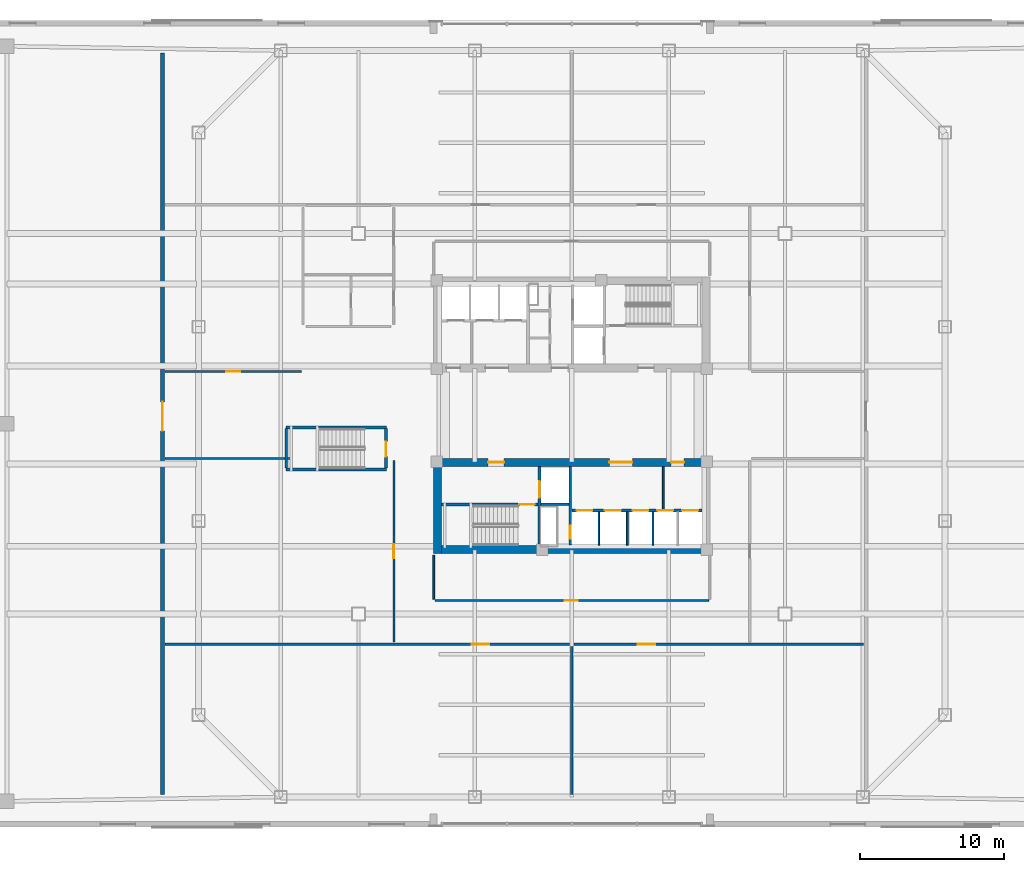
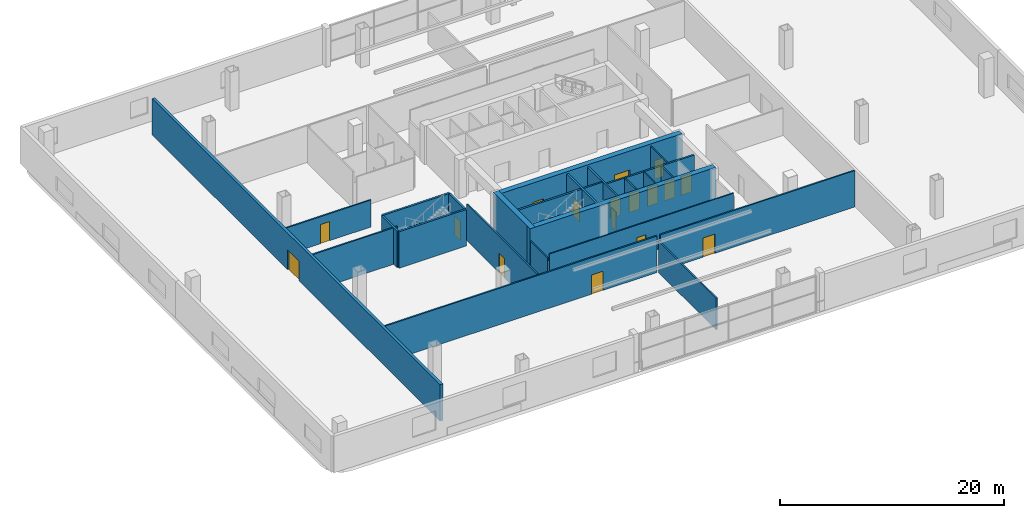
# One storey, part 12 of 21: 25 walls, 18 doors, 18 openings.
"""IFC4 building model written with IfcOpenShell, lengths in metres."""

from ifc_helpers import new_model, si_unit, direction, frame, frame_2d, origin, place, context, subcontext, project, spatial, rectangle, extrude, material, layer, layer_set, type_object, element, fill, save


model = new_model("IFC4")

# Units and contexts
model_context = context("Model", 3, precision=1e-05, world=origin(), true_north=direction((0.0, 1.0)))
body_context = subcontext(model_context, "Body", "Model", "MODEL_VIEW")
ifc_project = project(units=[si_unit("LENGTHUNIT", "METRE"), si_unit("AREAUNIT", "SQUARE_METRE"), si_unit("VOLUMEUNIT", "CUBIC_METRE"), si_unit("PLANEANGLEUNIT", "RADIAN"), si_unit("MASSUNIT", "GRAM", prefix="KILO")], contexts=[model_context])

# Site, building, storey
site_placement = place(None, origin())
site = spatial("IfcSite", under=ifc_project, at=site_placement, CompositionType="ELEMENT")
building_placement = place(site_placement, origin())
building = spatial("IfcBuilding", under=site, at=building_placement, Name="Qhalaya Broadcast Tower", CompositionType="ELEMENT")
storey_placement = place(building_placement, frame((0.0, 0.0, 21.89990234375)))
storey = spatial("IfcBuildingStorey", under=building, at=storey_placement, Name="L05", CompositionType="ELEMENT", Elevation=21.89990234375)

# Wall, opening, door
ifc_material_1 = material(Name="Gypsum Acoustic Partition")
ifc_layer_1 = layer(ifc_material_1, 0.14990234375, Name="Gypsum Acoustic Partition")
ifc_layer_set_1 = layer_set([ifc_layer_1], Name="Gypsum Acoustic Partition")
wall_type_1 = type_object("IfcWallType", Name="Corridor & Tenancy Acoustic Partition 150", PredefinedType="PARTITIONING", material=ifc_layer_set_1)
wall_1_placement = place(storey_placement, frame((-28.239990234375, -15.300048828125, 0.0), z_axis=(0.0, 0.0, 1.0), x_axis=(1.0, 0.0, 0.0)))
wall_1 = element("IfcWall", 1, at=wall_1_placement, inside=storey, type_object=wall_type_1, Name="L05 Partition Wall W-STS1L", PredefinedType="PARTITIONING", context=body_context, shape_type="SweptSolid", body=[
    extrude(rectangle(XDim=28.080078125, YDim=0.14990234375, at=frame_2d((14.0400390625, 0.0))), origin(), (0.0, 0.0, 1.0), 3.97998046875),
])
opening_1_placement = place(wall_1_placement, frame((21.302001953125, 0.0, 0.0)))
opening_1 = element("IfcOpeningElement", 2, at=opening_1_placement, cuts=wall_1, Name="Opening D11", PredefinedType="OPENING", context=body_context, shape_type="SweptSolid", body=[
    extrude(rectangle(XDim=1.199951171875, YDim=2.10009765625, at=frame_2d((0.60009765625, 1.050048828125))), frame((0.0, 0.0869140625, 0.0), z_axis=(0.0, -1.0, 0.0), x_axis=(1.0, 0.0, 0.0)), (0.0, 0.0, 1.0), 0.173828125),
])
ifc_material_2 = material(Name="Anodised Aluminium Glazed Door", Category="aluminium")
door_type_1 = type_object("IfcDoorType", Name="Conference, Boardroom & Studio Control Door D11", OperationType="NOTDEFINED", PredefinedType="DOOR", material=ifc_material_2)
door_1_placement = place(opening_1_placement, origin())
door_1 = element("IfcDoor", 3, at=door_1_placement, inside=storey, type_object=door_type_1, Name="L05 Door D-STS1", OperationType="SINGLE_SWING_RIGHT", OverallHeight=2.10009765625, OverallWidth=1.199951171875, PredefinedType="DOOR", context=body_context, shape_type="SweptSolid", body=[
    extrude(rectangle(XDim=1.199951171875, YDim=2.10009765625, at=frame_2d((0.60009765625, 1.050048828125))), frame((0.0, 0.02490234375, 0.0), z_axis=(0.0, -1.0, 0.0), x_axis=(1.0, 0.0, 0.0)), (0.0, 0.0, 1.0), 0.050048828125),
])
fill(opening_1, door_1)

wall_2_placement = place(storey_placement, frame((0.159912109375, -15.300048828125, 0.0), z_axis=(0.0, 0.0, 1.0), x_axis=(1.0, 0.0, 0.0)))
wall_2 = element("IfcWall", 4, at=wall_2_placement, inside=storey, type_object=wall_type_1, Name="L05 Partition Wall W-STS1R", PredefinedType="PARTITIONING", context=body_context, shape_type="SweptSolid", body=[
    extrude(rectangle(XDim=20.080078125, YDim=0.14990234375, at=frame_2d((10.0400390625, 0.0))), origin(), (0.0, 0.0, 1.0), 3.97998046875),
])
opening_2_placement = place(wall_2_placement, frame((4.419921875, 0.0, 0.0)))
opening_2 = element("IfcOpeningElement", 5, at=opening_2_placement, cuts=wall_2, Name="Opening D11", PredefinedType="OPENING", context=body_context, shape_type="SweptSolid", body=[
    extrude(rectangle(XDim=1.199951171875, YDim=2.10009765625, at=frame_2d((0.60009765625, 1.050048828125))), frame((0.0, 0.0869140625, 0.0), z_axis=(0.0, -1.0, 0.0), x_axis=(1.0, 0.0, 0.0)), (0.0, 0.0, 1.0), 0.173828125),
])
door_2_placement = place(opening_2_placement, origin())
door_2 = element("IfcDoor", 6, at=door_2_placement, inside=storey, type_object=door_type_1, Name="L05 Door D-STS2", OperationType="SINGLE_SWING_LEFT", OverallHeight=2.10009765625, OverallWidth=1.199951171875, PredefinedType="DOOR", context=body_context, shape_type="SweptSolid", body=[
    extrude(rectangle(XDim=1.199951171875, YDim=2.10009765625, at=frame_2d((0.60009765625, 1.050048828125))), frame((0.0, 0.02490234375, 0.0), z_axis=(0.0, -1.0, 0.0), x_axis=(1.0, 0.0, 0.0)), (0.0, 0.0, 1.0), 0.050048828125),
])
fill(opening_2, door_2)

# Wall
wall_3_placement = place(storey_placement, frame((0.0, -25.739990234375, 0.0), z_axis=(0.0, 0.0, 1.0), x_axis=(0.0, 1.0, 0.0)))
element("IfcWall", 7, at=wall_3_placement, inside=storey, type_object=wall_type_1, Name="L05 Partition Wall W-STMS", PredefinedType="PARTITIONING", context=body_context, shape_type="SweptSolid", body=[
    extrude(rectangle(XDim=10.280029296875, YDim=0.14990234375, at=frame_2d((5.14013671875, 0.0))), origin(), (0.0, 0.0, 1.0), 3.424072265625),
])

# Wall, opening, door
wall_4_placement = place(storey_placement, frame((-12.35009765625, -15.139892578125, 0.0), z_axis=(0.0, 0.0, 1.0), x_axis=(0.0, 1.0, 0.0)))
wall_4 = element("IfcWall", 8, at=wall_4_placement, inside=storey, type_object=wall_type_1, Name="L05 Partition Wall W-STPW", PredefinedType="PARTITIONING", context=body_context, shape_type="SweptSolid", body=[
    extrude(rectangle(XDim=12.579833984375, YDim=0.14990234375, at=frame_2d((6.2900390625, 0.0))), origin(), (0.0, 0.0, 1.0), 3.97998046875),
])
opening_3_placement = place(wall_4_placement, frame((5.81494140625, 0.0, 0.0)))
opening_3 = element("IfcOpeningElement", 9, at=opening_3_placement, cuts=wall_4, Name="Opening D10", PredefinedType="OPENING", context=body_context, shape_type="SweptSolid", body=[
    extrude(rectangle(XDim=0.949951171875, YDim=2.10009765625, at=frame_2d((0.47509765625, 1.050048828125))), frame((0.0, 0.0869140625, 0.0), z_axis=(0.0, -1.0, 0.0), x_axis=(1.0, 0.0, 0.0)), (0.0, 0.0, 1.0), 0.173828125),
])
ifc_material_3 = material(Name="Timber Veneer Acoustic Door", Category="wood")
door_type_2 = type_object("IfcDoorType", Name="Cellular Office & Edit Booth Door D10", OperationType="NOTDEFINED", PredefinedType="DOOR", material=ifc_material_3)
door_3_placement = place(opening_3_placement, origin())
door_3 = element("IfcDoor", 10, at=door_3_placement, inside=storey, type_object=door_type_2, Name="L05 Door D-STPW", OperationType="SINGLE_SWING_LEFT", OverallHeight=2.10009765625, OverallWidth=0.949951171875, PredefinedType="DOOR", context=body_context, shape_type="SweptSolid", body=[
    extrude(rectangle(XDim=0.949951171875, YDim=2.10009765625, at=frame_2d((0.47509765625, 1.050048828125))), frame((0.0, 0.02490234375, 0.0), z_axis=(0.0, -1.0, 0.0), x_axis=(1.0, 0.0, 0.0)), (0.0, 0.0, 1.0), 0.050048828125),
])
fill(opening_3, door_3)

# Wall
wall_5_placement = place(storey_placement, frame((-28.239990234375, -2.419921875, 0.0), z_axis=(0.0, 0.0, 1.0), x_axis=(1.0, 0.0, 0.0)))
element("IfcWall", 11, at=wall_5_placement, inside=storey, type_object=wall_type_1, Name="L05 Partition Wall W-STPW2", PredefinedType="PARTITIONING", context=body_context, shape_type="SweptSolid", body=[
    extrude(rectangle(XDim=8.72998046875, YDim=0.14990234375, at=frame_2d((4.364990234375, 0.0))), origin(), (0.0, 0.0, 1.0), 3.97998046875),
])

# Wall, opening, door
wall_6_placement = place(storey_placement, frame((-28.239990234375, 3.6201171875, 0.0), z_axis=(0.0, 0.0, 1.0), x_axis=(1.0, 0.0, 0.0)))
wall_6 = element("IfcWall", 12, at=wall_6_placement, inside=storey, type_object=wall_type_1, Name="L05 Partition Wall W-STPW3", PredefinedType="PARTITIONING", context=body_context, shape_type="SweptSolid", body=[
    extrude(rectangle(XDim=9.47998046875, YDim=0.14990234375, at=frame_2d((4.739990234375, 0.0))), origin(), (0.0, 0.0, 1.0), 2.94921875),
])
opening_4_placement = place(wall_6_placement, frame((4.264892578125, 0.0, 0.0)))
opening_4 = element("IfcOpeningElement", 13, at=opening_4_placement, cuts=wall_6, Name="Opening D10", PredefinedType="OPENING", context=body_context, shape_type="SweptSolid", body=[
    extrude(rectangle(XDim=0.949951171875, YDim=2.10009765625, at=frame_2d((0.47509765625, 1.050048828125))), frame((0.0, 0.0869140625, 0.0), z_axis=(0.0, -1.0, 0.0), x_axis=(1.0, 0.0, 0.0)), (0.0, 0.0, 1.0), 0.173828125),
])
door_4_placement = place(opening_4_placement, origin())
door_4 = element("IfcDoor", 14, at=door_4_placement, inside=storey, type_object=door_type_2, Name="L05 Door D-STPW3", OperationType="SINGLE_SWING_RIGHT", OverallHeight=2.10009765625, OverallWidth=0.949951171875, PredefinedType="DOOR", context=body_context, shape_type="SweptSolid", body=[
    extrude(rectangle(XDim=0.949951171875, YDim=2.10009765625, at=frame_2d((0.47509765625, 1.050048828125))), frame((0.0, 0.02490234375, 0.0), z_axis=(0.0, -1.0, 0.0), x_axis=(1.0, 0.0, 0.0)), (0.0, 0.0, 1.0), 0.050048828125),
])
fill(opening_4, door_4)

ifc_layer_2 = layer(ifc_material_1, 0.280029296875, Name="Gypsum Acoustic Partition")
ifc_layer_set_2 = layer_set([ifc_layer_2], Name="Gypsum Acoustic Partition")
wall_type_2 = type_object("IfcWallType", Name="Double-Leaf Soundstage Acoustic Wall 280", PredefinedType="MOVABLE", material=ifc_layer_set_2)
wall_7_placement = place(storey_placement, frame((-28.39990234375, -25.739990234375, 0.0), z_axis=(0.0, 0.0, 1.0), x_axis=(0.0, 1.0, 0.0)))
wall_7 = element("IfcWall", 15, at=wall_7_placement, inside=storey, type_object=wall_type_2, Name="L05 Partition Wall W-STAW", PredefinedType="MOVABLE", context=body_context, shape_type="SweptSolid", body=[
    extrude(rectangle(XDim=51.47998046875, YDim=0.280029296875, at=frame_2d((25.739990234375, 0.0))), origin(), (0.0, 0.0, 1.0), 3.97998046875),
])
opening_5_placement = place(wall_7_placement, frame((25.2548828125, 0.0, 0.0)))
opening_5 = element("IfcOpeningElement", 16, at=opening_5_placement, cuts=wall_7, Name="Opening D08", PredefinedType="OPENING", context=body_context, shape_type="SweptSolid", body=[
    extrude(rectangle(XDim=2.0, YDim=2.139892578125, at=frame_2d((1.0, 1.06982421875))), frame((0.0, 0.152099609375, 0.0), z_axis=(0.0, -1.0, 0.0), x_axis=(1.0, 0.0, 0.0)), (0.0, 0.0, 1.0), 0.303955078125),
])
ifc_material_4 = material(Name="Acoustic Studio Isolation Steel Door", Category="steel")
door_type_3 = type_object("IfcDoorType", Name="Soundstage Acoustic Isolation Double Door D08", OperationType="DOUBLE_DOOR_SINGLE_SWING", PredefinedType="DOOR", material=ifc_material_4)
door_5_placement = place(opening_5_placement, origin())
door_5 = element("IfcDoor", 17, at=door_5_placement, inside=storey, type_object=door_type_3, Name="L05 Door D-STA1", OperationType="DOUBLE_DOOR_SINGLE_SWING", OverallHeight=2.139892578125, OverallWidth=2.0, PredefinedType="DOOR", context=body_context, shape_type="SweptSolid", body=[
    extrude(rectangle(XDim=2.0, YDim=2.139892578125, at=frame_2d((1.0, 1.06982421875))), frame((0.0, 0.02490234375, 0.0), z_axis=(0.0, -1.0, 0.0), x_axis=(1.0, 0.0, 0.0)), (0.0, 0.0, 1.0), 0.050048828125),
])
fill(opening_5, door_5)

ifc_material_5 = material(Name="Concrete C50/60", Category="concrete")
ifc_layer_3 = layer(ifc_material_5, 0.199951171875, Name="Concrete C50/60")
ifc_layer_set_3 = layer_set([ifc_layer_3], Name="Concrete C50/60")
wall_type_3 = type_object("IfcWallType", Name="Load-Bearing Stair Shaft Wall 200", PredefinedType="SHEAR", material=ifc_layer_set_3)
wall_8_placement = place(storey_placement, frame((-9.030029296875, -5.60498046875, 0.0), z_axis=(0.0, 0.0, 1.0), x_axis=(1.0, 0.0, 0.0)))
wall_8 = element("IfcWall", 18, at=wall_8_placement, inside=storey, type_object=wall_type_3, Name="L05 Stair Core Shear Wall SCW-ST2", PredefinedType="SHEAR", context=body_context, shape_type="SweptSolid", body=[
    extrude(rectangle(XDim=6.669921875, YDim=0.199951171875, at=frame_2d((3.3349609375, 0.0))), origin(), (0.0, 0.0, 1.0), 3.97998046875),
])
opening_6_placement = place(wall_8_placement, frame((5.39990234375, 0.0, 0.0)))
opening_6 = element("IfcOpeningElement", 19, at=opening_6_placement, cuts=wall_8, Name="Opening D03", PredefinedType="OPENING", context=body_context, shape_type="SweptSolid", body=[
    extrude(rectangle(XDim=1.050048828125, YDim=2.080078125, at=frame_2d((0.52490234375, 1.0400390625))), frame((0.0, 0.112060546875, 0.0), z_axis=(0.0, -1.0, 0.0), x_axis=(1.0, 0.0, 0.0)), (0.0, 0.0, 1.0), 0.223876953125),
])
ifc_material_6 = material(Name="Fire-Rated Steel Door", Category="steel")
door_type_4 = type_object("IfcDoorType", Name="Core Stair Protected Fire Door D03", OperationType="NOTDEFINED", PredefinedType="DOOR", material=ifc_material_6)
door_6_placement = place(opening_6_placement, origin())
door_6 = element("IfcDoor", 20, at=door_6_placement, inside=storey, type_object=door_type_4, Name="L05 Door D-SST2", OperationType="SINGLE_SWING_RIGHT", OverallHeight=2.080078125, OverallWidth=1.050048828125, PredefinedType="DOOR", context=body_context, shape_type="SweptSolid", body=[
    extrude(rectangle(XDim=1.050048828125, YDim=2.080078125, at=frame_2d((0.52490234375, 1.0400390625))), frame((0.0, 0.02490234375, 0.0), z_axis=(0.0, -1.0, 0.0), x_axis=(1.0, 0.0, 0.0)), (0.0, 0.0, 1.0), 0.050048828125),
])
fill(opening_6, door_6)

wall_9_placement = place(storey_placement, frame((-2.25, -8.429931640625, 0.0), z_axis=(0.0, 0.0, 1.0), x_axis=(0.0, 1.0, 0.0)))
wall_9 = element("IfcWall", 21, at=wall_9_placement, inside=storey, type_object=wall_type_3, Name="L05 Stair Core Shear Wall SCW-FF", PredefinedType="SHEAR", context=body_context, shape_type="SweptSolid", body=[
    extrude(rectangle(XDim=5.4599609375, YDim=0.199951171875, at=frame_2d((2.72998046875, 0.0))), origin(), (0.0, 0.0, 1.0), 3.97998046875),
])
opening_7_placement = place(wall_9_placement, frame((3.300048828125, 0.0, 0.0)))
opening_7 = element("IfcOpeningElement", 22, at=opening_7_placement, cuts=wall_9, Name="Opening LD2", PredefinedType="OPENING", context=body_context, shape_type="SweptSolid", body=[
    extrude(rectangle(XDim=1.14990234375, YDim=2.080078125, at=frame_2d((0.574951171875, 1.0400390625))), frame((0.0, 0.112060546875, 0.0), z_axis=(0.0, -1.0, 0.0), x_axis=(1.0, 0.0, 0.0)), (0.0, 0.0, 1.0), 0.223876953125),
])
ifc_material_7 = material(Name="Brushed Stainless Steel Lift Door", Category="steel")
door_type_5 = type_object("IfcDoorType", Name="Firefighting Lift Sliding Landing Door LD2", OperationType="DOUBLE_DOOR_SLIDING", PredefinedType="DOOR", material=ifc_material_7)
door_7_placement = place(opening_7_placement, origin())
door_7 = element("IfcDoor", 23, at=door_7_placement, inside=storey, type_object=door_type_5, Name="L05 Door LD-FF2", OperationType="DOUBLE_DOOR_SLIDING", OverallHeight=2.080078125, OverallWidth=1.14990234375, PredefinedType="DOOR", context=body_context, shape_type="SweptSolid", body=[
    extrude(rectangle(XDim=1.14990234375, YDim=2.080078125, at=frame_2d((0.574951171875, 1.0400390625))), frame((0.0, 0.02490234375, 0.0), z_axis=(0.0, -1.0, 0.0), x_axis=(1.0, 0.0, 0.0)), (0.0, 0.0, 1.0), 0.050048828125),
])
fill(opening_7, door_7)

# Walls
for number, where, z_axis, x_axis, name in (
    (24, (-19.830078125, -0.25, 0.0), (0.0, 0.0, 1.0), (1.0, 0.0, 0.0), "L05 Stair Core Shear Wall W-STP1N"),
    (25, (-19.830078125, -3.179931640625, 0.0), (0.0, 0.0, 1.0), (1.0, 0.0, 0.0), "L05 Stair Core Shear Wall W-STP1S"),
):
    element("IfcWall", number, at=place(storey_placement, frame(where, z_axis=z_axis, x_axis=x_axis)), inside=storey, type_object=wall_type_3, Name=name, PredefinedType="SHEAR", context=body_context, shape_type="SweptSolid", body=[
        extrude(rectangle(XDim=6.9599609375, YDim=0.199951171875, at=frame_2d((3.47998046875, 0.0))), origin(), (0.0, 0.0, 1.0), 3.97998046875),
    ])

# Wall, opening, door
wall_10_placement = place(storey_placement, frame((-12.89990234375, -0.340087890625, 0.0), z_axis=(0.0, 0.0, 1.0), x_axis=(0.0, -1.0, 0.0)))
wall_10 = element("IfcWall", 26, at=wall_10_placement, inside=storey, type_object=wall_type_3, Name="L05 Stair Core Shear Wall W-STP1E", PredefinedType="SHEAR", context=body_context, shape_type="SweptSolid", body=[
    extrude(rectangle(XDim=2.739990234375, YDim=0.199951171875, at=frame_2d((1.3701171875, 0.0))), origin(), (0.0, 0.0, 1.0), 3.97998046875),
])
opening_8_placement = place(wall_10_placement, frame((0.89501953125, 0.0, 0.0)))
opening_8 = element("IfcOpeningElement", 27, at=opening_8_placement, cuts=wall_10, Name="Opening D03", PredefinedType="OPENING", context=body_context, shape_type="SweptSolid", body=[
    extrude(rectangle(XDim=1.050048828125, YDim=2.080078125, at=frame_2d((0.52490234375, 1.0400390625))), frame((0.0, 0.112060546875, 0.0), z_axis=(0.0, -1.0, 0.0), x_axis=(1.0, 0.0, 0.0)), (0.0, 0.0, 1.0), 0.223876953125),
])
door_8_placement = place(opening_8_placement, origin())
door_8 = element("IfcDoor", 28, at=door_8_placement, inside=storey, type_object=door_type_4, Name="L05 Door D-STP1", OperationType="SINGLE_SWING_LEFT", OverallHeight=2.080078125, OverallWidth=1.050048828125, PredefinedType="DOOR", context=body_context, shape_type="SweptSolid", body=[
    extrude(rectangle(XDim=1.050048828125, YDim=2.080078125, at=frame_2d((0.52490234375, 1.0400390625))), frame((0.0, 0.02490234375, 0.0), z_axis=(0.0, -1.0, 0.0), x_axis=(1.0, 0.0, 0.0)), (0.0, 0.0, 1.0), 0.050048828125),
])
fill(opening_8, door_8)

# Walls
wall_11_placement = place(storey_placement, frame((-19.820068359375, -3.080078125, 0.0), z_axis=(0.0, 0.0, 1.0), x_axis=(0.0, 1.0, 0.0)))
element("IfcWall", 29, at=wall_11_placement, inside=storey, type_object=wall_type_3, Name="L05 Stair Core Shear Wall W-STP1W", PredefinedType="SHEAR", context=body_context, shape_type="SweptSolid", body=[
    extrude(rectangle(XDim=2.739990234375, YDim=0.199951171875, at=frame_2d((1.3701171875, 0.0))), origin(), (0.0, 0.0, 1.0), 3.97998046875),
])
ifc_material_8 = material(Name="Concrete C60/75", Category="concrete")
ifc_layer_4 = layer(ifc_material_8, 0.550048828125, Name="Concrete C60/75")
ifc_layer_set_4 = layer_set([ifc_layer_4], Name="Concrete C60/75")
wall_type_4 = type_object("IfcWallType", Name="Lower Split-Core Shear Wall 550", PredefinedType="SHEAR", material=ifc_layer_set_4)
wall_12_placement = place(storey_placement, frame((-9.60009765625, -8.72509765625, 0.0), z_axis=(0.0, 0.0, 1.0), x_axis=(1.0, 0.0, 0.0)))
element("IfcWall", 30, at=wall_12_placement, inside=storey, type_object=wall_type_4, Name="L05 Split-Core Shear Wall CW-SS", PredefinedType="SHEAR", context=body_context, shape_type="SweptSolid", body=[
    extrude(rectangle(XDim=19.2001953125, YDim=0.550048828125, at=frame_2d((9.60009765625, 0.0))), origin(), (0.0, 0.0, 1.0), 4.2001953125),
])

# Wall, openings, doors
wall_13_placement = place(storey_placement, frame((-9.60009765625, -2.675048828125, 0.0), z_axis=(0.0, 0.0, 1.0), x_axis=(1.0, 0.0, 0.0)))
wall_13 = element("IfcWall", 31, at=wall_13_placement, inside=storey, type_object=wall_type_4, Name="L05 Split-Core Shear Wall CW-SN", PredefinedType="SHEAR", context=body_context, shape_type="SweptSolid", body=[
    extrude(rectangle(XDim=19.2001953125, YDim=0.550048828125, at=frame_2d((9.60009765625, 0.0))), origin(), (0.0, 0.0, 1.0), 4.2001953125),
])
opening_9_placement = place(wall_13_placement, frame((3.800048828125, 0.0, 0.0)))
opening_9 = element("IfcOpeningElement", 32, at=opening_9_placement, cuts=wall_13, Name="Opening D04", PredefinedType="OPENING", context=body_context, shape_type="SweptSolid", body=[
    extrude(rectangle(XDim=1.10009765625, YDim=2.080078125, at=frame_2d((0.550048828125, 1.0400390625))), frame((0.0, 0.287109375, 0.0), z_axis=(0.0, -1.0, 0.0), x_axis=(1.0, 0.0, 0.0)), (0.0, 0.0, 1.0), 0.573974609375),
])
opening_10_placement = place(wall_13_placement, frame((12.199951171875, 0.0, 0.0)))
opening_10 = element("IfcOpeningElement", 33, at=opening_10_placement, cuts=wall_13, Name="Opening D07", PredefinedType="OPENING", context=body_context, shape_type="SweptSolid", body=[
    extrude(rectangle(XDim=1.60009765625, YDim=2.1201171875, at=frame_2d((0.800048828125, 1.06005859375))), frame((0.0, 0.287109375, 0.0), z_axis=(0.0, -1.0, 0.0), x_axis=(1.0, 0.0, 0.0)), (0.0, 0.0, 1.0), 0.573974609375),
])
opening_11_placement = place(wall_13_placement, frame((16.5, 0.0, 0.0)))
opening_11 = element("IfcOpeningElement", 34, at=opening_11_placement, cuts=wall_13, Name="Opening D06", PredefinedType="OPENING", context=body_context, shape_type="SweptSolid", body=[
    extrude(rectangle(XDim=0.89990234375, YDim=2.050048828125, at=frame_2d((0.449951171875, 1.02490234375))), frame((0.0, 0.287109375, 0.0), z_axis=(0.0, -1.0, 0.0), x_axis=(1.0, 0.0, 0.0)), (0.0, 0.0, 1.0), 0.573974609375),
])
door_type_6 = type_object("IfcDoorType", Name="Firefighting Lobby Rated Door D04", OperationType="NOTDEFINED", PredefinedType="DOOR", material=ifc_material_6)
door_9_placement = place(opening_9_placement, origin())
door_9 = element("IfcDoor", 35, at=door_9_placement, inside=storey, type_object=door_type_6, Name="L05 Door D-SFF", OperationType="SINGLE_SWING_LEFT", OverallHeight=2.080078125, OverallWidth=1.10009765625, PredefinedType="DOOR", context=body_context, shape_type="SweptSolid", body=[
    extrude(rectangle(XDim=1.10009765625, YDim=2.080078125, at=frame_2d((0.550048828125, 1.0400390625))), frame((0.0, 0.02490234375, 0.0), z_axis=(0.0, -1.0, 0.0), x_axis=(1.0, 0.0, 0.0)), (0.0, 0.0, 1.0), 0.050048828125),
])
fill(opening_9, door_9)
door_type_7 = type_object("IfcDoorType", Name="Passenger Lift Lobby Double Glazed Door D07", OperationType="DOUBLE_DOOR_SINGLE_SWING", PredefinedType="DOOR", material=ifc_material_2)
door_10_placement = place(opening_10_placement, origin())
door_10 = element("IfcDoor", 36, at=door_10_placement, inside=storey, type_object=door_type_7, Name="L05 Door D-SPLL", OperationType="DOUBLE_DOOR_SINGLE_SWING", OverallHeight=2.1201171875, OverallWidth=1.60009765625, PredefinedType="DOOR", context=body_context, shape_type="SweptSolid", body=[
    extrude(rectangle(XDim=1.60009765625, YDim=2.1201171875, at=frame_2d((0.800048828125, 1.06005859375))), frame((0.0, 0.02490234375, 0.0), z_axis=(0.0, -1.0, 0.0), x_axis=(1.0, 0.0, 0.0)), (0.0, 0.0, 1.0), 0.050048828125),
])
fill(opening_10, door_10)
door_type_8 = type_object("IfcDoorType", Name="Riser & Electrical Shaft Access Door D06", OperationType="NOTDEFINED", PredefinedType="DOOR", material=ifc_material_6)
door_11_placement = place(opening_11_placement, origin())
door_11 = element("IfcDoor", 37, at=door_11_placement, inside=storey, type_object=door_type_8, Name="L05 Door D-SSCST", OperationType="SINGLE_SWING_LEFT", OverallHeight=2.050048828125, OverallWidth=0.89990234375, PredefinedType="DOOR", context=body_context, shape_type="SweptSolid", body=[
    extrude(rectangle(XDim=0.89990234375, YDim=2.050048828125, at=frame_2d((0.449951171875, 1.02490234375))), frame((0.0, 0.02490234375, 0.0), z_axis=(0.0, -1.0, 0.0), x_axis=(1.0, 0.0, 0.0)), (0.0, 0.0, 1.0), 0.050048828125),
])
fill(opening_11, door_11)

# Walls
wall_14_placement = place(storey_placement, frame((-9.324951171875, -9.0, 0.0), z_axis=(0.0, 0.0, 1.0), x_axis=(0.0, 1.0, 0.0)))
element("IfcWall", 38, at=wall_14_placement, inside=storey, type_object=wall_type_4, Name="L05 Split-Core Shear Wall CW-SW", PredefinedType="SHEAR", context=body_context, shape_type="SweptSolid", body=[
    extrude(rectangle(XDim=6.60009765625, YDim=0.550048828125, at=frame_2d((3.300048828125, 0.0))), origin(), (0.0, 0.0, 1.0), 4.2001953125),
])
ifc_layer_5 = layer(ifc_material_1, 0.1201171875, Name="Gypsum Acoustic Partition")
ifc_layer_set_5 = layer_set([ifc_layer_5], Name="Gypsum Acoustic Partition")
wall_type_5 = type_object("IfcWallType", Name="Office, Booth & Sanitary Partition 120", PredefinedType="PARTITIONING", material=ifc_layer_set_5)
for number, where, z_axis, x_axis, name in (
    (39, (1.8798828125, -8.429931640625, 0.0), (0.0, 0.0, 1.0), (0.0, 1.0, 0.0), "L05 Partition Wall SCW-MD4"),
    (40, (3.85009765625, -8.429931640625, 0.0), (0.0, 0.0, 1.0), (0.0, 1.0, 0.0), "L05 Partition Wall SCW-MD5"),
    (41, (5.639892578125, -8.429931640625, 0.0), (0.0, 0.0, 1.0), (0.0, 1.0, 0.0), "L05 Partition Wall SCW-HD6"),
):
    element("IfcWall", number, at=place(storey_placement, frame(where, z_axis=z_axis, x_axis=x_axis)), inside=storey, type_object=wall_type_5, Name=name, PredefinedType="PARTITIONING", context=body_context, shape_type="SweptSolid", body=[
        extrude(rectangle(XDim=2.329833984375, YDim=0.1201171875, at=frame_2d((1.1650390625, 0.0))), origin(), (0.0, 0.0, 1.0), 3.97998046875),
    ])
wall_15_placement = place(storey_placement, frame((6.35009765625, -5.93994140625, 0.0), z_axis=(0.0, 0.0, 1.0), x_axis=(0.0, 1.0, 0.0)))
element("IfcWall", 42, at=wall_15_placement, inside=storey, type_object=wall_type_5, Name="L05 Partition Wall SCW-LKB", PredefinedType="PARTITIONING", context=body_context, shape_type="SweptSolid", body=[
    extrude(rectangle(XDim=2.969970703125, YDim=0.1201171875, at=frame_2d((1.48486328125, 0.0))), origin(), (0.0, 0.0, 1.0), 3.97998046875),
])

# Wall, opening, door
wall_16_placement = place(storey_placement, frame((-9.489990234375, -12.260009765625, 0.0), z_axis=(0.0, 0.0, 1.0), x_axis=(1.0, 0.0, 0.0)))
wall_16 = element("IfcWall", 43, at=wall_16_placement, inside=storey, type_object=wall_type_5, Name="L05 Partition Wall W-PCSHS", PredefinedType="PARTITIONING", context=body_context, shape_type="SweptSolid", body=[
    extrude(rectangle(XDim=18.97998046875, YDim=0.1201171875, at=frame_2d((9.489990234375, 0.0))), origin(), (0.0, 0.0, 1.0), 3.424072265625),
])
opening_12_placement = place(wall_16_placement, frame((9.014892578125, 0.0, 0.0)))
opening_12 = element("IfcOpeningElement", 44, at=opening_12_placement, cuts=wall_16, Name="Opening D06", PredefinedType="OPENING", context=body_context, shape_type="SweptSolid", body=[
    extrude(rectangle(XDim=0.89990234375, YDim=2.050048828125, at=frame_2d((0.449951171875, 1.02490234375))), frame((0.0, 0.072021484375, 0.0), z_axis=(0.0, -1.0, 0.0), x_axis=(1.0, 0.0, 0.0)), (0.0, 0.0, 1.0), 0.14404296875),
])
door_12_placement = place(opening_12_placement, origin())
door_12 = element("IfcDoor", 45, at=door_12_placement, inside=storey, type_object=door_type_8, Name="L05 Door D-PCSHS", OperationType="SINGLE_SWING_RIGHT", OverallHeight=2.050048828125, OverallWidth=0.89990234375, PredefinedType="DOOR", context=body_context, shape_type="SweptSolid", body=[
    extrude(rectangle(XDim=0.89990234375, YDim=2.050048828125, at=frame_2d((0.449951171875, 1.02490234375))), frame((0.0, 0.02490234375, 0.0), z_axis=(0.0, -1.0, 0.0), x_axis=(1.0, 0.0, 0.0)), (0.0, 0.0, 1.0), 0.050048828125),
])
fill(opening_12, door_12)

# Wall
wall_17_placement = place(storey_placement, frame((-9.580078125, -12.18994140625, 0.0), z_axis=(0.0, 0.0, 1.0), x_axis=(0.0, 1.0, 0.0)))
element("IfcWall", 46, at=wall_17_placement, inside=storey, type_object=wall_type_5, Name="L05 Partition Wall W-PCSHSW", PredefinedType="PARTITIONING", context=body_context, shape_type="SweptSolid", body=[
    extrude(rectangle(XDim=3.079833984375, YDim=0.1201171875, at=frame_2d((1.5400390625, 0.0))), origin(), (0.0, 0.0, 1.0), 2.94921875),
])

# Wall, opening, door
ifc_layer_6 = layer(ifc_material_1, 0.175048828125, Name="Gypsum Acoustic Partition")
ifc_layer_set_6 = layer_set([ifc_layer_6], Name="Gypsum Acoustic Partition")
wall_type_6 = type_object("IfcWallType", Name="Shaft & Riser Fire Partition 175", PredefinedType="PARTITIONING", material=ifc_layer_set_6)
wall_18_placement = place(storey_placement, frame((-0.10009765625, -8.429931640625, 0.0), z_axis=(0.0, 0.0, 1.0), x_axis=(0.0, 1.0, 0.0)))
wall_18 = element("IfcWall", 47, at=wall_18_placement, inside=storey, type_object=wall_type_6, Name="L05 Partition Wall SCW-FFE", PredefinedType="PARTITIONING", context=body_context, shape_type="SweptSolid", body=[
    extrude(rectangle(XDim=5.4599609375, YDim=0.175048828125, at=frame_2d((2.72998046875, 0.0))), origin(), (0.0, 0.0, 1.0), 3.97998046875),
])
opening_13_placement = place(wall_18_placement, frame((0.449951171875, 0.0, 0.0)))
opening_13 = element("IfcOpeningElement", 48, at=opening_13_placement, cuts=wall_18, Name="Opening D06", PredefinedType="OPENING", context=body_context, shape_type="SweptSolid", body=[
    extrude(rectangle(XDim=0.89990234375, YDim=2.050048828125, at=frame_2d((0.449951171875, 1.02490234375))), frame((0.0, 0.099609375, 0.0), z_axis=(0.0, -1.0, 0.0), x_axis=(1.0, 0.0, 0.0)), (0.0, 0.0, 1.0), 0.198974609375),
])
door_13_placement = place(opening_13_placement, origin())
door_13 = element("IfcDoor", 49, at=door_13_placement, inside=storey, type_object=door_type_8, Name="L05 Riser Shaft Access Door D-SRSR", OperationType="SINGLE_SWING_LEFT", OverallHeight=2.050048828125, OverallWidth=0.89990234375, PredefinedType="DOOR", context=body_context, shape_type="SweptSolid", body=[
    extrude(rectangle(XDim=0.89990234375, YDim=2.050048828125, at=frame_2d((0.449951171875, 1.02490234375))), frame((0.0, 0.02490234375, 0.0), z_axis=(0.0, -1.0, 0.0), x_axis=(1.0, 0.0, 0.0)), (0.0, 0.0, 1.0), 0.050048828125),
])
fill(opening_13, door_13)

# Wall
wall_19_placement = place(storey_placement, frame((-2.14990234375, -5.60009765625, 0.0), z_axis=(0.0, 0.0, 1.0), x_axis=(1.0, 0.0, 0.0)))
element("IfcWall", 50, at=wall_19_placement, inside=storey, type_object=wall_type_6, Name="L05 Partition Wall SCW-FFM", PredefinedType="PARTITIONING", context=body_context, shape_type="SweptSolid", body=[
    extrude(rectangle(XDim=1.969970703125, YDim=0.175048828125, at=frame_2d((0.98486328125, 0.0))), origin(), (0.0, 0.0, 1.0), 3.97998046875),
])

# Wall, openings, doors
wall_20_placement = place(storey_placement, frame((0.0, -6.02001953125, 0.0), z_axis=(0.0, 0.0, 1.0), x_axis=(1.0, 0.0, 0.0)))
wall_20 = element("IfcWall", 51, at=wall_20_placement, inside=storey, type_object=wall_type_6, Name="L05 Partition Wall SCW-SLB", PredefinedType="PARTITIONING", context=body_context, shape_type="SweptSolid", body=[
    extrude(rectangle(XDim=9.030029296875, YDim=0.175048828125, at=frame_2d((4.51513671875, 0.0))), origin(), (0.0, 0.0, 1.0), 3.97998046875),
])
opening_14_placement = place(wall_20_placement, frame((0.330078125, 0.0, 0.0)))
opening_14 = element("IfcOpeningElement", 52, at=opening_14_placement, cuts=wall_20, Name="Opening LD1", PredefinedType="OPENING", context=body_context, shape_type="SweptSolid", body=[
    extrude(rectangle(XDim=1.10009765625, YDim=2.06005859375, at=frame_2d((0.550048828125, 1.030029296875))), frame((0.0, 0.099609375, 0.0), z_axis=(0.0, -1.0, 0.0), x_axis=(1.0, 0.0, 0.0)), (0.0, 0.0, 1.0), 0.198974609375),
])
opening_15_placement = place(wall_20_placement, frame((2.300048828125, 0.0, 0.0)))
opening_15 = element("IfcOpeningElement", 53, at=opening_15_placement, cuts=wall_20, Name="Opening LD1", PredefinedType="OPENING", context=body_context, shape_type="SweptSolid", body=[
    extrude(rectangle(XDim=1.10009765625, YDim=2.06005859375, at=frame_2d((0.550048828125, 1.030029296875))), frame((0.0, 0.099609375, 0.0), z_axis=(0.0, -1.0, 0.0), x_axis=(1.0, 0.0, 0.0)), (0.0, 0.0, 1.0), 0.198974609375),
])
opening_16_placement = place(wall_20_placement, frame((4.219970703125, 0.0, 0.0)))
opening_16 = element("IfcOpeningElement", 54, at=opening_16_placement, cuts=wall_20, Name="Opening LD1", PredefinedType="OPENING", context=body_context, shape_type="SweptSolid", body=[
    extrude(rectangle(XDim=1.10009765625, YDim=2.06005859375, at=frame_2d((0.550048828125, 1.030029296875))), frame((0.0, 0.099609375, 0.0), z_axis=(0.0, -1.0, 0.0), x_axis=(1.0, 0.0, 0.0)), (0.0, 0.0, 1.0), 0.198974609375),
])
opening_17_placement = place(wall_20_placement, frame((5.93994140625, 0.0, 0.0)))
opening_17 = element("IfcOpeningElement", 55, at=opening_17_placement, cuts=wall_20, Name="Opening LD1", PredefinedType="OPENING", context=body_context, shape_type="SweptSolid", body=[
    extrude(rectangle(XDim=1.10009765625, YDim=2.06005859375, at=frame_2d((0.550048828125, 1.030029296875))), frame((0.0, 0.099609375, 0.0), z_axis=(0.0, -1.0, 0.0), x_axis=(1.0, 0.0, 0.0)), (0.0, 0.0, 1.0), 0.198974609375),
])
opening_18_placement = place(wall_20_placement, frame((7.659912109375, 0.0, 0.0)))
opening_18 = element("IfcOpeningElement", 56, at=opening_18_placement, cuts=wall_20, Name="Opening LD1", PredefinedType="OPENING", context=body_context, shape_type="SweptSolid", body=[
    extrude(rectangle(XDim=1.10009765625, YDim=2.06005859375, at=frame_2d((0.550048828125, 1.030029296875))), frame((0.0, 0.099609375, 0.0), z_axis=(0.0, -1.0, 0.0), x_axis=(1.0, 0.0, 0.0)), (0.0, 0.0, 1.0), 0.198974609375),
])
door_type_9 = type_object("IfcDoorType", Name="Passenger Lift Sliding Landing Door LD1", OperationType="DOUBLE_DOOR_SLIDING", PredefinedType="DOOR", material=ifc_material_7)
door_14_placement = place(opening_14_placement, origin())
door_14 = element("IfcDoor", 57, at=door_14_placement, inside=storey, type_object=door_type_9, Name="L05 Door LD-P4", OperationType="DOUBLE_DOOR_SLIDING", OverallHeight=2.06005859375, OverallWidth=1.10009765625, PredefinedType="DOOR", context=body_context, shape_type="SweptSolid", body=[
    extrude(rectangle(XDim=1.10009765625, YDim=2.06005859375, at=frame_2d((0.550048828125, 1.030029296875))), frame((0.0, 0.02490234375, 0.0), z_axis=(0.0, -1.0, 0.0), x_axis=(1.0, 0.0, 0.0)), (0.0, 0.0, 1.0), 0.050048828125),
])
fill(opening_14, door_14)
door_15_placement = place(opening_15_placement, origin())
door_15 = element("IfcDoor", 58, at=door_15_placement, inside=storey, type_object=door_type_9, Name="L05 Door LD-P5", OperationType="DOUBLE_DOOR_SLIDING", OverallHeight=2.06005859375, OverallWidth=1.10009765625, PredefinedType="DOOR", context=body_context, shape_type="SweptSolid", body=[
    extrude(rectangle(XDim=1.10009765625, YDim=2.06005859375, at=frame_2d((0.550048828125, 1.030029296875))), frame((0.0, 0.02490234375, 0.0), z_axis=(0.0, -1.0, 0.0), x_axis=(1.0, 0.0, 0.0)), (0.0, 0.0, 1.0), 0.050048828125),
])
fill(opening_15, door_15)
door_16_placement = place(opening_16_placement, origin())
door_16 = element("IfcDoor", 59, at=door_16_placement, inside=storey, type_object=door_type_9, Name="L05 Door LD-P6", OperationType="DOUBLE_DOOR_SLIDING", OverallHeight=2.06005859375, OverallWidth=1.10009765625, PredefinedType="DOOR", context=body_context, shape_type="SweptSolid", body=[
    extrude(rectangle(XDim=1.10009765625, YDim=2.06005859375, at=frame_2d((0.550048828125, 1.030029296875))), frame((0.0, 0.02490234375, 0.0), z_axis=(0.0, -1.0, 0.0), x_axis=(1.0, 0.0, 0.0)), (0.0, 0.0, 1.0), 0.050048828125),
])
fill(opening_16, door_16)
door_17_placement = place(opening_17_placement, origin())
door_17 = element("IfcDoor", 60, at=door_17_placement, inside=storey, type_object=door_type_9, Name="L05 Door LD-P7", OperationType="DOUBLE_DOOR_SLIDING", OverallHeight=2.06005859375, OverallWidth=1.10009765625, PredefinedType="DOOR", context=body_context, shape_type="SweptSolid", body=[
    extrude(rectangle(XDim=1.10009765625, YDim=2.06005859375, at=frame_2d((0.550048828125, 1.030029296875))), frame((0.0, 0.02490234375, 0.0), z_axis=(0.0, -1.0, 0.0), x_axis=(1.0, 0.0, 0.0)), (0.0, 0.0, 1.0), 0.050048828125),
])
fill(opening_17, door_17)
door_18_placement = place(opening_18_placement, origin())
door_18 = element("IfcDoor", 61, at=door_18_placement, inside=storey, type_object=door_type_9, Name="L05 Door LD-P8", OperationType="DOUBLE_DOOR_SLIDING", OverallHeight=2.06005859375, OverallWidth=1.10009765625, PredefinedType="DOOR", context=body_context, shape_type="SweptSolid", body=[
    extrude(rectangle(XDim=1.10009765625, YDim=2.06005859375, at=frame_2d((0.550048828125, 1.030029296875))), frame((0.0, 0.02490234375, 0.0), z_axis=(0.0, -1.0, 0.0), x_axis=(1.0, 0.0, 0.0)), (0.0, 0.0, 1.0), 0.050048828125),
])
fill(opening_18, door_18)

save(model, "model.ifc")
